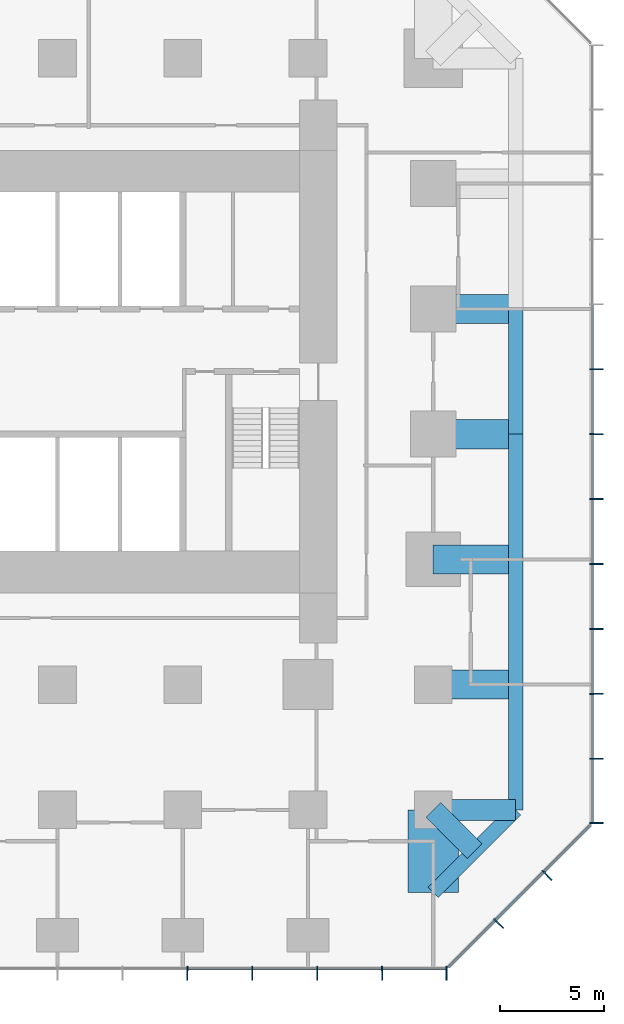
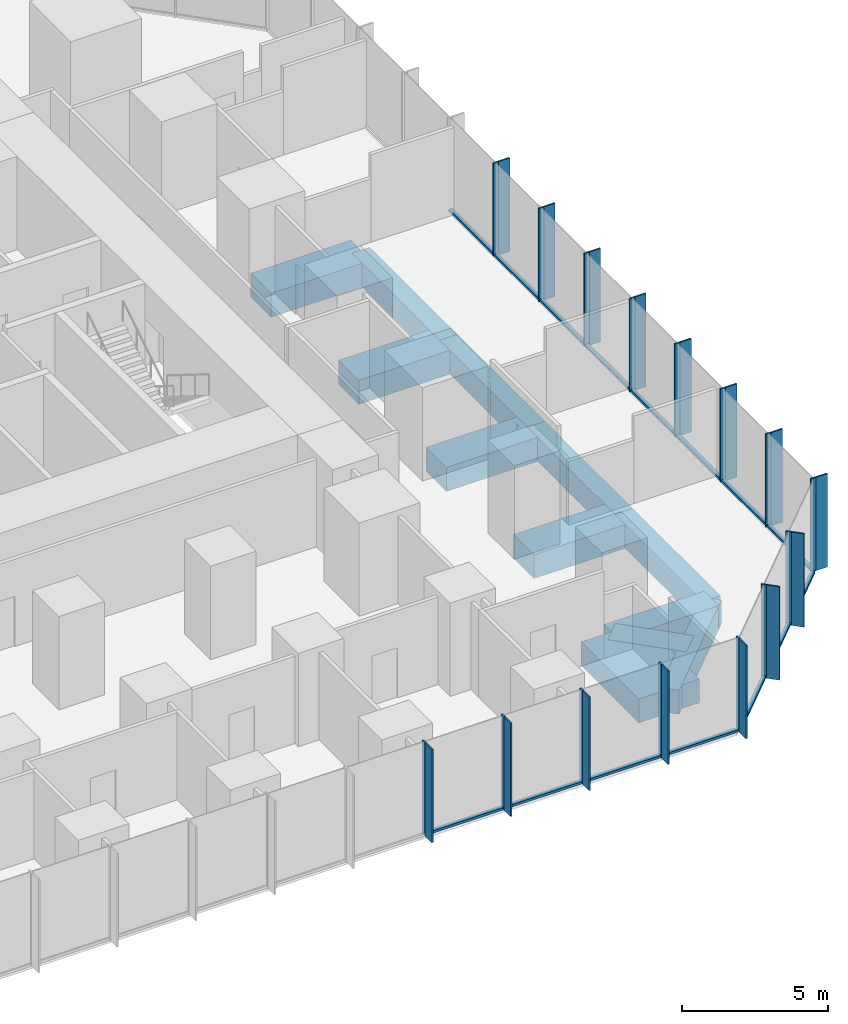
# One storey, part 4 of 12: 45 members, 12 beams, 3 elements without a shape of their own.
"""IFC4 building model written with IfcOpenShell, lengths in metres."""

from ifc_helpers import new_model, si_unit, direction, frame, origin, origin_2d, place, context, subcontext, project, spatial, rectangle, extrude, material, layer, layer_set, material_profile, profile_set, type_object, element, aggregate, save


model = new_model("IFC4")

# Units and contexts
model_context = context("Model", 3, precision=1e-05, world=origin(), true_north=direction((0.0, 1.0)))
body_context = subcontext(model_context, "Body", "Model", "MODEL_VIEW")
ifc_project = project(units=[si_unit("LENGTHUNIT", "METRE"), si_unit("AREAUNIT", "SQUARE_METRE"), si_unit("VOLUMEUNIT", "CUBIC_METRE"), si_unit("PLANEANGLEUNIT", "RADIAN"), si_unit("MASSUNIT", "GRAM", prefix="KILO")], contexts=[model_context])

# Site, building, storey
site_placement = place(None, origin())
site = spatial("IfcSite", under=ifc_project, at=site_placement, CompositionType="ELEMENT")
building_placement = place(site_placement, origin())
building = spatial("IfcBuilding", under=site, at=building_placement, Name="Highveld Stack Headquarters", CompositionType="ELEMENT")
storey_placement = place(building_placement, frame((0.0, 0.0, 49.39990234375)))
storey = spatial("IfcBuildingStorey", under=building, at=storey_placement, Name="L11", CompositionType="ELEMENT", Elevation=49.39990234375)

# Beams
ifc_material_1 = material(Name="Concrete C60/75", Category="concrete")
ifc_material_profile_1 = material_profile(ifc_material_1, rectangle(XDim=1.0, YDim=1.0, at=origin_2d()), Name="RC 1000x1000")
ifc_profile_set_1 = profile_set([ifc_material_profile_1], Name="Concrete C60/75")
beam_type_1 = type_object("IfcBeamType", Name="CANTILEVER RIB RC 1000x1000", PredefinedType="USERDEFINED", material=ifc_profile_set_1)
beam_1_placement = place(storey_placement, frame((24.0, -18.0, -0.75), z_axis=(1.0, 0.0, 0.0), x_axis=(0.0, 1.0, 0.0)))
element("IfcBeam", 1, at=beam_1_placement, inside=storey, type_object=beam_type_1, Name="Cantilever rib 10/B L11", ObjectType="CANTILEVER RIB", PredefinedType="USERDEFINED", context=body_context, shape_type="SweptSolid", body=[
    extrude(rectangle(XDim=1.0, YDim=1.0, at=origin_2d()), origin(), (0.0, 0.0, 1.0), 3.949951171875),
])
beam_2_placement = place(storey_placement, frame((24.0, -18.0, -0.75), z_axis=(0.707106781187, -0.707106781187, 0.0), x_axis=(0.707106781187, 0.707106781187, 0.0)))
element("IfcBeam", 2, at=beam_2_placement, inside=storey, type_object=beam_type_1, Name="Cantilever rib 10/B L11", ObjectType="CANTILEVER RIB", PredefinedType="USERDEFINED", context=body_context, shape_type="SweptSolid", body=[
    extrude(rectangle(XDim=1.0, YDim=1.0, at=origin_2d()), origin(), (0.0, 0.0, 1.0), 2.793212890625),
])
ifc_material_2 = material(Name="Concrete C60/75", Category="concrete")
ifc_material_profile_2 = material_profile(ifc_material_2, rectangle(XDim=1.39990234375, YDim=1.0, at=origin_2d()), Name="RC 1400x1000")
ifc_profile_set_2 = profile_set([ifc_material_profile_2], Name="Concrete C60/75")
beam_type_2 = type_object("IfcBeamType", Name="CANTILEVER RIB RC 1400x1000", PredefinedType="USERDEFINED", material=ifc_profile_set_2)
for number, where, z_axis, x_axis, name in (
    (3, (24.0, -12.0, -0.75), (1.0, 0.0, 0.0), (0.0, 1.0, 0.0), "Cantilever rib 10/C L11"),
    (4, (24.0, -6.0, -0.75), (1.0, 0.0, 0.0), (0.0, 1.0, 0.0), "Cantilever rib 10/D L11"),
    (5, (24.0, 0.0, -0.75), (1.0, 0.0, 0.0), (0.0, 1.0, 0.0), "Cantilever rib 10/E L11"),
    (6, (24.0, 6.0, -0.75), (1.0, 0.0, 0.0), (0.0, 1.0, 0.0), "Cantilever rib 10/F L11"),
):
    element("IfcBeam", number, at=place(storey_placement, frame(where, z_axis=z_axis, x_axis=x_axis)), inside=storey, type_object=beam_type_2, Name=name, ObjectType="CANTILEVER RIB", PredefinedType="USERDEFINED", context=body_context, shape_type="SweptSolid", body=[
        extrude(rectangle(XDim=1.39990234375, YDim=1.0, at=origin_2d()), origin(), (0.0, 0.0, 1.0), 3.949951171875),
    ])
ifc_material_3 = material(Name="Concrete C60/75", Category="concrete")
ifc_material_profile_3 = material_profile(ifc_material_3, rectangle(XDim=2.39990234375, YDim=1.0, at=origin_2d()), Name="RC 2400x1000")
ifc_profile_set_3 = profile_set([ifc_material_profile_3], Name="Concrete C60/75")
beam_type_3 = type_object("IfcBeamType", Name="CANTILEVER RIB RC 2400x1000", PredefinedType="USERDEFINED", material=ifc_profile_set_3)
beam_3_placement = place(storey_placement, frame((24.0, -18.0, -0.75), z_axis=(0.0, -1.0, 0.0), x_axis=(1.0, 0.0, 0.0)))
element("IfcBeam", 7, at=beam_3_placement, inside=storey, type_object=beam_type_3, Name="Cantilever rib 10/B L11", ObjectType="CANTILEVER RIB", PredefinedType="USERDEFINED", context=body_context, shape_type="SweptSolid", body=[
    extrude(rectangle(XDim=2.39990234375, YDim=1.0, at=origin_2d()), origin(), (0.0, 0.0, 1.0), 3.949951171875),
])

# Curtain wall, members
ifc_material_4 = material(Name="Aluminium bronze anodised", Category="aluminium")
ifc_layer_1 = layer(ifc_material_4, 0.199951171875)
ifc_layer_set_1 = layer_set([ifc_layer_1], Name="Aluminium bronze anodised")
curtain_wall_type_1 = type_object("IfcCurtainWallType", Name="CW1 TOWER UNITISED CURTAIN WALL", PredefinedType="NOTDEFINED", material=ifc_layer_set_1)
curtain_wall_1_placement = place(storey_placement, origin())
curtain_wall_1 = element("IfcCurtainWall", 8, at=curtain_wall_1_placement, inside=storey, type_object=curtain_wall_type_1, Name="Curtain wall CW1 L11 S", PredefinedType="NOTDEFINED")
ifc_material_5 = material(Name="Aluminium bronze anodised", Category="aluminium")
ifc_material_profile_4 = material_profile(ifc_material_5, rectangle(XDim=0.449951171875, YDim=0.06005859375, at=origin_2d()), Name="FIN 450x60")
ifc_profile_set_4 = profile_set([ifc_material_profile_4], Name="Aluminium bronze anodised")
member_type_1 = type_object("IfcMemberType", Name="CW1 BRONZE FIN 450x60", PredefinedType="USERDEFINED", material=ifc_profile_set_4)
member_1_placement = place(storey_placement, frame((12.220947265625, -25.925048828125, 0.0), z_axis=(0.0, 0.0, 1.0), x_axis=(0.0, 1.0, 0.0)))
member_1 = element("IfcMember", 9, at=member_1_placement, type_object=member_type_1, Name="CW1 fin L11 9", ObjectType="FIN", PredefinedType="USERDEFINED", context=body_context, shape_type="SweptSolid", body=[
    extrude(rectangle(XDim=0.449951171875, YDim=0.06005859375, at=origin_2d()), origin(), (0.0, 0.0, 1.0), 3.900146484375),
])
member_2_placement = place(storey_placement, frame((15.331298828125, -25.925048828125, 0.0), z_axis=(0.0, 0.0, 1.0), x_axis=(0.0, 1.0, 0.0)))
member_2 = element("IfcMember", 10, at=member_2_placement, type_object=member_type_1, Name="CW1 fin L11 10", ObjectType="FIN", PredefinedType="USERDEFINED", context=body_context, shape_type="SweptSolid", body=[
    extrude(rectangle(XDim=0.449951171875, YDim=0.06005859375, at=origin_2d()), origin(), (0.0, 0.0, 1.0), 3.900146484375),
])
member_3_placement = place(storey_placement, frame((18.44189453125, -25.925048828125, 0.0), z_axis=(0.0, 0.0, 1.0), x_axis=(0.0, 1.0, 0.0)))
member_3 = element("IfcMember", 11, at=member_3_placement, type_object=member_type_1, Name="CW1 fin L11 11", ObjectType="FIN", PredefinedType="USERDEFINED", context=body_context, shape_type="SweptSolid", body=[
    extrude(rectangle(XDim=0.449951171875, YDim=0.06005859375, at=origin_2d()), origin(), (0.0, 0.0, 1.0), 3.900146484375),
])
member_4_placement = place(storey_placement, frame((21.55224609375, -25.925048828125, 0.0), z_axis=(0.0, 0.0, 1.0), x_axis=(0.0, 1.0, 0.0)))
member_4 = element("IfcMember", 12, at=member_4_placement, type_object=member_type_1, Name="CW1 fin L11 12", ObjectType="FIN", PredefinedType="USERDEFINED", context=body_context, shape_type="SweptSolid", body=[
    extrude(rectangle(XDim=0.449951171875, YDim=0.06005859375, at=origin_2d()), origin(), (0.0, 0.0, 1.0), 3.900146484375),
])
member_5_placement = place(storey_placement, frame((24.630126953125, -25.925048828125, 0.0), z_axis=(0.0, 0.0, 1.0), x_axis=(0.0, 1.0, 0.0)))
member_5 = element("IfcMember", 13, at=member_5_placement, type_object=member_type_1, Name="CW1 fin L11 13", ObjectType="FIN", PredefinedType="USERDEFINED", context=body_context, shape_type="SweptSolid", body=[
    extrude(rectangle(XDim=0.449951171875, YDim=0.06005859375, at=origin_2d()), origin(), (0.0, 0.0, 1.0), 3.900146484375),
])

curtain_wall_2_placement = place(storey_placement, origin())
curtain_wall_2 = element("IfcCurtainWall", 14, at=curtain_wall_2_placement, inside=storey, type_object=curtain_wall_type_1, Name="Curtain wall CW1 L11 E", PredefinedType="NOTDEFINED")
member_6_placement = place(storey_placement, frame((31.925048828125, -18.630126953125, 0.0), z_axis=(0.0, 0.0, 1.0), x_axis=(-1.0, 0.0, 0.0)))
member_6 = element("IfcMember", 15, at=member_6_placement, type_object=member_type_1, Name="CW1 fin L11 1", ObjectType="FIN", PredefinedType="USERDEFINED", context=body_context, shape_type="SweptSolid", body=[
    extrude(rectangle(XDim=0.449951171875, YDim=0.06005859375, at=origin_2d()), origin(), (0.0, 0.0, 1.0), 3.900146484375),
])
member_7_placement = place(storey_placement, frame((31.925048828125, -15.55224609375, 0.0), z_axis=(0.0, 0.0, 1.0), x_axis=(-1.0, 0.0, 0.0)))
member_7 = element("IfcMember", 16, at=member_7_placement, type_object=member_type_1, Name="CW1 fin L11 2", ObjectType="FIN", PredefinedType="USERDEFINED", context=body_context, shape_type="SweptSolid", body=[
    extrude(rectangle(XDim=0.449951171875, YDim=0.06005859375, at=origin_2d()), origin(), (0.0, 0.0, 1.0), 3.900146484375),
])
member_8_placement = place(storey_placement, frame((31.925048828125, -12.44189453125, 0.0), z_axis=(0.0, 0.0, 1.0), x_axis=(-1.0, 0.0, 0.0)))
member_8 = element("IfcMember", 17, at=member_8_placement, type_object=member_type_1, Name="CW1 fin L11 3", ObjectType="FIN", PredefinedType="USERDEFINED", context=body_context, shape_type="SweptSolid", body=[
    extrude(rectangle(XDim=0.449951171875, YDim=0.06005859375, at=origin_2d()), origin(), (0.0, 0.0, 1.0), 3.900146484375),
])
member_9_placement = place(storey_placement, frame((31.925048828125, -9.331298828125, 0.0), z_axis=(0.0, 0.0, 1.0), x_axis=(-1.0, 0.0, 0.0)))
member_9 = element("IfcMember", 18, at=member_9_placement, type_object=member_type_1, Name="CW1 fin L11 4", ObjectType="FIN", PredefinedType="USERDEFINED", context=body_context, shape_type="SweptSolid", body=[
    extrude(rectangle(XDim=0.449951171875, YDim=0.06005859375, at=origin_2d()), origin(), (0.0, 0.0, 1.0), 3.900146484375),
])
member_10_placement = place(storey_placement, frame((31.925048828125, -6.220947265625, 0.0), z_axis=(0.0, 0.0, 1.0), x_axis=(-1.0, 0.0, 0.0)))
member_10 = element("IfcMember", 19, at=member_10_placement, type_object=member_type_1, Name="CW1 fin L11 5", ObjectType="FIN", PredefinedType="USERDEFINED", context=body_context, shape_type="SweptSolid", body=[
    extrude(rectangle(XDim=0.449951171875, YDim=0.06005859375, at=origin_2d()), origin(), (0.0, 0.0, 1.0), 3.900146484375),
])
member_11_placement = place(storey_placement, frame((31.925048828125, -3.110595703125, 0.0), z_axis=(0.0, 0.0, 1.0), x_axis=(-1.0, 0.0, 0.0)))
member_11 = element("IfcMember", 20, at=member_11_placement, type_object=member_type_1, Name="CW1 fin L11 6", ObjectType="FIN", PredefinedType="USERDEFINED", context=body_context, shape_type="SweptSolid", body=[
    extrude(rectangle(XDim=0.449951171875, YDim=0.06005859375, at=origin_2d()), origin(), (0.0, 0.0, 1.0), 3.900146484375),
])
member_12_placement = place(storey_placement, frame((31.925048828125, 0.0, 0.0), z_axis=(0.0, 0.0, 1.0), x_axis=(-1.0, 0.0, 0.0)))
member_12 = element("IfcMember", 21, at=member_12_placement, type_object=member_type_1, Name="CW1 fin L11 7", ObjectType="FIN", PredefinedType="USERDEFINED", context=body_context, shape_type="SweptSolid", body=[
    extrude(rectangle(XDim=0.449951171875, YDim=0.06005859375, at=origin_2d()), origin(), (0.0, 0.0, 1.0), 3.900146484375),
])
member_13_placement = place(storey_placement, frame((31.925048828125, 3.110595703125, 0.0), z_axis=(0.0, 0.0, 1.0), x_axis=(-1.0, 0.0, 0.0)))
member_13 = element("IfcMember", 22, at=member_13_placement, type_object=member_type_1, Name="CW1 fin L11 8", ObjectType="FIN", PredefinedType="USERDEFINED", context=body_context, shape_type="SweptSolid", body=[
    extrude(rectangle(XDim=0.449951171875, YDim=0.06005859375, at=origin_2d()), origin(), (0.0, 0.0, 1.0), 3.900146484375),
])

# Member
ifc_material_6 = material(Name="Aluminium bronze anodised", Category="aluminium")
ifc_material_profile_5 = material_profile(ifc_material_6, rectangle(XDim=0.199951171875, YDim=0.06494140625, at=origin_2d()), Name="CW1 MULLION 65x200")
ifc_profile_set_5 = profile_set([ifc_material_profile_5], Name="Aluminium bronze anodised")
member_type_2 = type_object("IfcMemberType", Name="CW1 MULLION 65x200", PredefinedType="MULLION", material=ifc_profile_set_5)
member_14_placement = place(storey_placement, frame((12.220947265625, -25.60009765625, 0.0), z_axis=(0.0, 0.0, 1.0), x_axis=(0.0, 1.0, 0.0)))
member_14 = element("IfcMember", 23, at=member_14_placement, type_object=member_type_2, Name="CW1 mullion L11 9", PredefinedType="MULLION", context=body_context, shape_type="SweptSolid", body=[
    extrude(rectangle(XDim=0.199951171875, YDim=0.06494140625, at=origin_2d()), origin(), (0.0, 0.0, 1.0), 3.900146484375),
])

member_15_placement = place(storey_placement, frame((15.331298828125, -25.60009765625, 0.0), z_axis=(0.0, 0.0, 1.0), x_axis=(0.0, 1.0, 0.0)))
member_15 = element("IfcMember", 24, at=member_15_placement, type_object=member_type_2, Name="CW1 mullion L11 10", PredefinedType="MULLION", context=body_context, shape_type="SweptSolid", body=[
    extrude(rectangle(XDim=0.199951171875, YDim=0.06494140625, at=origin_2d()), origin(), (0.0, 0.0, 1.0), 3.900146484375),
])

member_16_placement = place(storey_placement, frame((18.44189453125, -25.60009765625, 0.0), z_axis=(0.0, 0.0, 1.0), x_axis=(0.0, 1.0, 0.0)))
member_16 = element("IfcMember", 25, at=member_16_placement, type_object=member_type_2, Name="CW1 mullion L11 11", PredefinedType="MULLION", context=body_context, shape_type="SweptSolid", body=[
    extrude(rectangle(XDim=0.199951171875, YDim=0.06494140625, at=origin_2d()), origin(), (0.0, 0.0, 1.0), 3.900146484375),
])

member_17_placement = place(storey_placement, frame((21.55224609375, -25.60009765625, 0.0), z_axis=(0.0, 0.0, 1.0), x_axis=(0.0, 1.0, 0.0)))
member_17 = element("IfcMember", 26, at=member_17_placement, type_object=member_type_2, Name="CW1 mullion L11 12", PredefinedType="MULLION", context=body_context, shape_type="SweptSolid", body=[
    extrude(rectangle(XDim=0.199951171875, YDim=0.06494140625, at=origin_2d()), origin(), (0.0, 0.0, 1.0), 3.900146484375),
])

member_18_placement = place(storey_placement, frame((24.630126953125, -25.60009765625, 0.0), z_axis=(0.0, 0.0, 1.0), x_axis=(0.0, 1.0, 0.0)))
member_18 = element("IfcMember", 27, at=member_18_placement, type_object=member_type_2, Name="CW1 mullion L11 13", PredefinedType="MULLION", context=body_context, shape_type="SweptSolid", body=[
    extrude(rectangle(XDim=0.199951171875, YDim=0.06494140625, at=origin_2d()), origin(), (0.0, 0.0, 1.0), 3.900146484375),
])

member_19_placement = place(storey_placement, frame((31.60009765625, -18.630126953125, 0.0), z_axis=(0.0, 0.0, 1.0), x_axis=(-1.0, 0.0, 0.0)))
member_19 = element("IfcMember", 28, at=member_19_placement, type_object=member_type_2, Name="CW1 mullion L11 1", PredefinedType="MULLION", context=body_context, shape_type="SweptSolid", body=[
    extrude(rectangle(XDim=0.199951171875, YDim=0.06494140625, at=origin_2d()), origin(), (0.0, 0.0, 1.0), 3.900146484375),
])

member_20_placement = place(storey_placement, frame((31.60009765625, -15.55224609375, 0.0), z_axis=(0.0, 0.0, 1.0), x_axis=(-1.0, 0.0, 0.0)))
member_20 = element("IfcMember", 29, at=member_20_placement, type_object=member_type_2, Name="CW1 mullion L11 2", PredefinedType="MULLION", context=body_context, shape_type="SweptSolid", body=[
    extrude(rectangle(XDim=0.199951171875, YDim=0.06494140625, at=origin_2d()), origin(), (0.0, 0.0, 1.0), 3.900146484375),
])

member_21_placement = place(storey_placement, frame((31.60009765625, -12.44189453125, 0.0), z_axis=(0.0, 0.0, 1.0), x_axis=(-1.0, 0.0, 0.0)))
member_21 = element("IfcMember", 30, at=member_21_placement, type_object=member_type_2, Name="CW1 mullion L11 3", PredefinedType="MULLION", context=body_context, shape_type="SweptSolid", body=[
    extrude(rectangle(XDim=0.199951171875, YDim=0.06494140625, at=origin_2d()), origin(), (0.0, 0.0, 1.0), 3.900146484375),
])

member_22_placement = place(storey_placement, frame((31.60009765625, -9.331298828125, 0.0), z_axis=(0.0, 0.0, 1.0), x_axis=(-1.0, 0.0, 0.0)))
member_22 = element("IfcMember", 31, at=member_22_placement, type_object=member_type_2, Name="CW1 mullion L11 4", PredefinedType="MULLION", context=body_context, shape_type="SweptSolid", body=[
    extrude(rectangle(XDim=0.199951171875, YDim=0.06494140625, at=origin_2d()), origin(), (0.0, 0.0, 1.0), 3.900146484375),
])

member_23_placement = place(storey_placement, frame((31.60009765625, -6.220947265625, 0.0), z_axis=(0.0, 0.0, 1.0), x_axis=(-1.0, 0.0, 0.0)))
member_23 = element("IfcMember", 32, at=member_23_placement, type_object=member_type_2, Name="CW1 mullion L11 5", PredefinedType="MULLION", context=body_context, shape_type="SweptSolid", body=[
    extrude(rectangle(XDim=0.199951171875, YDim=0.06494140625, at=origin_2d()), origin(), (0.0, 0.0, 1.0), 3.900146484375),
])

member_24_placement = place(storey_placement, frame((31.60009765625, -3.110595703125, 0.0), z_axis=(0.0, 0.0, 1.0), x_axis=(-1.0, 0.0, 0.0)))
member_24 = element("IfcMember", 33, at=member_24_placement, type_object=member_type_2, Name="CW1 mullion L11 6", PredefinedType="MULLION", context=body_context, shape_type="SweptSolid", body=[
    extrude(rectangle(XDim=0.199951171875, YDim=0.06494140625, at=origin_2d()), origin(), (0.0, 0.0, 1.0), 3.900146484375),
])

member_25_placement = place(storey_placement, frame((31.60009765625, 0.0, 0.0), z_axis=(0.0, 0.0, 1.0), x_axis=(-1.0, 0.0, 0.0)))
member_25 = element("IfcMember", 34, at=member_25_placement, type_object=member_type_2, Name="CW1 mullion L11 7", PredefinedType="MULLION", context=body_context, shape_type="SweptSolid", body=[
    extrude(rectangle(XDim=0.199951171875, YDim=0.06494140625, at=origin_2d()), origin(), (0.0, 0.0, 1.0), 3.900146484375),
])

member_26_placement = place(storey_placement, frame((31.60009765625, 3.110595703125, 0.0), z_axis=(0.0, 0.0, 1.0), x_axis=(-1.0, 0.0, 0.0)))
member_26 = element("IfcMember", 35, at=member_26_placement, type_object=member_type_2, Name="CW1 mullion L11 8", PredefinedType="MULLION", context=body_context, shape_type="SweptSolid", body=[
    extrude(rectangle(XDim=0.199951171875, YDim=0.06494140625, at=origin_2d()), origin(), (0.0, 0.0, 1.0), 3.900146484375),
])

ifc_material_7 = material(Name="Aluminium bronze anodised", Category="aluminium")
ifc_material_profile_6 = material_profile(ifc_material_7, rectangle(XDim=0.14990234375, YDim=0.10009765625, at=origin_2d()), Name="CW1 TRANSOM 150x100")
ifc_profile_set_6 = profile_set([ifc_material_profile_6], Name="Aluminium bronze anodised")
member_type_3 = type_object("IfcMemberType", Name="CW1 STACK TRANSOM 150x100", PredefinedType="USERDEFINED", material=ifc_profile_set_6)
member_27_placement = place(storey_placement, frame((12.25341796875, -25.60009765625, 0.050048828125), z_axis=(1.0, 0.0, 0.0), x_axis=(0.0, 1.0, 0.0)))
member_27 = element("IfcMember", 36, at=member_27_placement, type_object=member_type_3, Name="CW1 transom L11 9.1", ObjectType="TRANSOM", PredefinedType="USERDEFINED", context=body_context, shape_type="SweptSolid", body=[
    extrude(rectangle(XDim=0.14990234375, YDim=0.10009765625, at=origin_2d()), origin(), (0.0, 0.0, 1.0), 3.04541015625),
])

member_28_placement = place(storey_placement, frame((15.364013671875, -25.60009765625, 0.050048828125), z_axis=(1.0, 0.0, 0.0), x_axis=(0.0, 1.0, 0.0)))
member_28 = element("IfcMember", 37, at=member_28_placement, type_object=member_type_3, Name="CW1 transom L11 10.1", ObjectType="TRANSOM", PredefinedType="USERDEFINED", context=body_context, shape_type="SweptSolid", body=[
    extrude(rectangle(XDim=0.14990234375, YDim=0.10009765625, at=origin_2d()), origin(), (0.0, 0.0, 1.0), 3.045166015625),
])

member_29_placement = place(storey_placement, frame((18.474365234375, -25.60009765625, 0.050048828125), z_axis=(1.0, 0.0, 0.0), x_axis=(0.0, 1.0, 0.0)))
member_29 = element("IfcMember", 38, at=member_29_placement, type_object=member_type_3, Name="CW1 transom L11 11.1", ObjectType="TRANSOM", PredefinedType="USERDEFINED", context=body_context, shape_type="SweptSolid", body=[
    extrude(rectangle(XDim=0.14990234375, YDim=0.10009765625, at=origin_2d()), origin(), (0.0, 0.0, 1.0), 3.04541015625),
])

member_30_placement = place(storey_placement, frame((21.584716796875, -25.60009765625, 0.050048828125), z_axis=(1.0, 0.0, 0.0), x_axis=(0.0, 1.0, 0.0)))
member_30 = element("IfcMember", 39, at=member_30_placement, type_object=member_type_3, Name="CW1 transom L11 12.1", ObjectType="TRANSOM", PredefinedType="USERDEFINED", context=body_context, shape_type="SweptSolid", body=[
    extrude(rectangle(XDim=0.14990234375, YDim=0.10009765625, at=origin_2d()), origin(), (0.0, 0.0, 1.0), 3.012939453125),
])

aggregate(curtain_wall_1, [member_14, member_1, member_15, member_2, member_16, member_3, member_17, member_4, member_18, member_5, member_27, member_28, member_29, member_30])

member_31_placement = place(storey_placement, frame((31.60009765625, -18.59765625, 0.050048828125), z_axis=(0.0, 1.0, 0.0), x_axis=(-1.0, 0.0, 0.0)))
member_31 = element("IfcMember", 40, at=member_31_placement, type_object=member_type_3, Name="CW1 transom L11 1.1", ObjectType="TRANSOM", PredefinedType="USERDEFINED", context=body_context, shape_type="SweptSolid", body=[
    extrude(rectangle(XDim=0.14990234375, YDim=0.10009765625, at=origin_2d()), origin(), (0.0, 0.0, 1.0), 3.012939453125),
])

member_32_placement = place(storey_placement, frame((31.60009765625, -15.519775390625, 0.050048828125), z_axis=(0.0, 1.0, 0.0), x_axis=(-1.0, 0.0, 0.0)))
member_32 = element("IfcMember", 41, at=member_32_placement, type_object=member_type_3, Name="CW1 transom L11 2.1", ObjectType="TRANSOM", PredefinedType="USERDEFINED", context=body_context, shape_type="SweptSolid", body=[
    extrude(rectangle(XDim=0.14990234375, YDim=0.10009765625, at=origin_2d()), origin(), (0.0, 0.0, 1.0), 3.04541015625),
])

member_33_placement = place(storey_placement, frame((31.60009765625, -12.4091796875, 0.050048828125), z_axis=(0.0, 1.0, 0.0), x_axis=(-1.0, 0.0, 0.0)))
member_33 = element("IfcMember", 42, at=member_33_placement, type_object=member_type_3, Name="CW1 transom L11 3.1", ObjectType="TRANSOM", PredefinedType="USERDEFINED", context=body_context, shape_type="SweptSolid", body=[
    extrude(rectangle(XDim=0.14990234375, YDim=0.10009765625, at=origin_2d()), origin(), (0.0, 0.0, 1.0), 3.045166015625),
])

member_34_placement = place(storey_placement, frame((31.60009765625, -9.298828125, 0.050048828125), z_axis=(0.0, 1.0, 0.0), x_axis=(-1.0, 0.0, 0.0)))
member_34 = element("IfcMember", 43, at=member_34_placement, type_object=member_type_3, Name="CW1 transom L11 4.1", ObjectType="TRANSOM", PredefinedType="USERDEFINED", context=body_context, shape_type="SweptSolid", body=[
    extrude(rectangle(XDim=0.14990234375, YDim=0.10009765625, at=origin_2d()), origin(), (0.0, 0.0, 1.0), 3.04541015625),
])

member_35_placement = place(storey_placement, frame((31.60009765625, -6.1884765625, 0.050048828125), z_axis=(0.0, 1.0, 0.0), x_axis=(-1.0, 0.0, 0.0)))
member_35 = element("IfcMember", 44, at=member_35_placement, type_object=member_type_3, Name="CW1 transom L11 5.1", ObjectType="TRANSOM", PredefinedType="USERDEFINED", context=body_context, shape_type="SweptSolid", body=[
    extrude(rectangle(XDim=0.14990234375, YDim=0.10009765625, at=origin_2d()), origin(), (0.0, 0.0, 1.0), 3.04541015625),
])

member_36_placement = place(storey_placement, frame((31.60009765625, -3.077880859375, 0.050048828125), z_axis=(0.0, 1.0, 0.0), x_axis=(-1.0, 0.0, 0.0)))
member_36 = element("IfcMember", 45, at=member_36_placement, type_object=member_type_3, Name="CW1 transom L11 6.1", ObjectType="TRANSOM", PredefinedType="USERDEFINED", context=body_context, shape_type="SweptSolid", body=[
    extrude(rectangle(XDim=0.14990234375, YDim=0.10009765625, at=origin_2d()), origin(), (0.0, 0.0, 1.0), 3.04541015625),
])

member_37_placement = place(storey_placement, frame((31.60009765625, 0.032470703125, 0.050048828125), z_axis=(0.0, 1.0, 0.0), x_axis=(-1.0, 0.0, 0.0)))
member_37 = element("IfcMember", 46, at=member_37_placement, type_object=member_type_3, Name="CW1 transom L11 7.1", ObjectType="TRANSOM", PredefinedType="USERDEFINED", context=body_context, shape_type="SweptSolid", body=[
    extrude(rectangle(XDim=0.14990234375, YDim=0.10009765625, at=origin_2d()), origin(), (0.0, 0.0, 1.0), 3.04541015625),
])

member_38_placement = place(storey_placement, frame((31.60009765625, 3.142822265625, 0.050048828125), z_axis=(0.0, 1.0, 0.0), x_axis=(-1.0, 0.0, 0.0)))
member_38 = element("IfcMember", 47, at=member_38_placement, type_object=member_type_3, Name="CW1 transom L11 8.1", ObjectType="TRANSOM", PredefinedType="USERDEFINED", context=body_context, shape_type="SweptSolid", body=[
    extrude(rectangle(XDim=0.14990234375, YDim=0.10009765625, at=origin_2d()), origin(), (0.0, 0.0, 1.0), 3.045654296875),
])

aggregate(curtain_wall_2, [member_19, member_6, member_20, member_7, member_21, member_8, member_22, member_9, member_23, member_10, member_24, member_11, member_25, member_12, member_26, member_13, member_31, member_32, member_33, member_34, member_35, member_36, member_37, member_38])

# Curtain wall, members
ifc_material_8 = material(Name="Aluminium bronze anodised", Category="aluminium")
ifc_layer_2 = layer(ifc_material_8, 0.199951171875)
ifc_layer_set_2 = layer_set([ifc_layer_2], Name="Aluminium bronze anodised")
curtain_wall_type_2 = type_object("IfcCurtainWallType", Name="CW2 TOWER CHAMFER UNITISED CURTAIN WALL", PredefinedType="NOTDEFINED", material=ifc_layer_set_2)
curtain_wall_3_placement = place(storey_placement, origin())
curtain_wall_3 = element("IfcCurtainWall", 48, at=curtain_wall_3_placement, inside=storey, type_object=curtain_wall_type_2, Name="Curtain wall CW2 L11 SE", PredefinedType="NOTDEFINED")
ifc_material_9 = material(Name="Aluminium bronze anodised", Category="aluminium")
ifc_material_profile_7 = material_profile(ifc_material_9, rectangle(XDim=0.449951171875, YDim=0.06005859375, at=origin_2d()), Name="FIN 450x60")
ifc_profile_set_7 = profile_set([ifc_material_profile_7], Name="Aluminium bronze anodised")
member_type_4 = type_object("IfcMemberType", Name="CW2 BRONZE FIN 450x60", PredefinedType="USERDEFINED", material=ifc_profile_set_7)
member_39_placement = place(storey_placement, frame((27.204833984375, -23.517333984375, 0.0), z_axis=(0.0, 0.0, 1.0), x_axis=(-0.707106781187, 0.707106781187, 0.0)))
member_39 = element("IfcMember", 49, at=member_39_placement, type_object=member_type_4, Name="CW2 fin L11 1", ObjectType="FIN", PredefinedType="USERDEFINED", context=body_context, shape_type="SweptSolid", body=[
    extrude(rectangle(XDim=0.449951171875, YDim=0.06005859375, at=origin_2d()), origin(), (0.0, 0.0, 1.0), 3.900146484375),
])
member_40_placement = place(storey_placement, frame((29.517333984375, -21.204833984375, 0.0), z_axis=(0.0, 0.0, 1.0), x_axis=(-0.707106781187, 0.707106781187, 0.0)))
member_40 = element("IfcMember", 50, at=member_40_placement, type_object=member_type_4, Name="CW2 fin L11 2", ObjectType="FIN", PredefinedType="USERDEFINED", context=body_context, shape_type="SweptSolid", body=[
    extrude(rectangle(XDim=0.449951171875, YDim=0.06005859375, at=origin_2d()), origin(), (0.0, 0.0, 1.0), 3.900146484375),
])
ifc_material_10 = material(Name="Aluminium bronze anodised", Category="aluminium")
ifc_material_profile_8 = material_profile(ifc_material_10, rectangle(XDim=0.199951171875, YDim=0.06494140625, at=origin_2d()), Name="CW2 MULLION 65x200")
ifc_profile_set_8 = profile_set([ifc_material_profile_8], Name="Aluminium bronze anodised")
member_type_5 = type_object("IfcMemberType", Name="CW2 MULLION 65x200", PredefinedType="MULLION", material=ifc_profile_set_8)
member_41_placement = place(storey_placement, frame((26.97509765625, -23.28759765625, 0.0), z_axis=(0.0, 0.0, 1.0), x_axis=(-0.707106781187, 0.707106781187, 0.0)))
member_41 = element("IfcMember", 51, at=member_41_placement, type_object=member_type_5, Name="CW2 mullion L11 1", PredefinedType="MULLION", context=body_context, shape_type="SweptSolid", body=[
    extrude(rectangle(XDim=0.199951171875, YDim=0.06494140625, at=origin_2d()), origin(), (0.0, 0.0, 1.0), 3.900146484375),
])
member_42_placement = place(storey_placement, frame((29.28759765625, -20.97509765625, 0.0), z_axis=(0.0, 0.0, 1.0), x_axis=(-0.707106781187, 0.707106781187, 0.0)))
member_42 = element("IfcMember", 52, at=member_42_placement, type_object=member_type_5, Name="CW2 mullion L11 2", PredefinedType="MULLION", context=body_context, shape_type="SweptSolid", body=[
    extrude(rectangle(XDim=0.199951171875, YDim=0.06494140625, at=origin_2d()), origin(), (0.0, 0.0, 1.0), 3.900146484375),
])
ifc_material_11 = material(Name="Aluminium bronze anodised", Category="aluminium")
ifc_material_profile_9 = material_profile(ifc_material_11, rectangle(XDim=0.14990234375, YDim=0.10009765625, at=origin_2d()), Name="CW2 TRANSOM 150x100")
ifc_profile_set_9 = profile_set([ifc_material_profile_9], Name="Aluminium bronze anodised")
member_type_6 = type_object("IfcMemberType", Name="CW2 STACK TRANSOM 150x100", PredefinedType="USERDEFINED", material=ifc_profile_set_9)
member_43_placement = place(storey_placement, frame((24.7333984375, -25.529296875, 0.050048828125), z_axis=(0.707106781187, 0.707106781187, 0.0), x_axis=(-0.707106781187, 0.707106781187, 0.0)))
member_43 = element("IfcMember", 53, at=member_43_placement, type_object=member_type_6, Name="CW2 transom L11 1.1", ObjectType="TRANSOM", PredefinedType="USERDEFINED", context=body_context, shape_type="SweptSolid", body=[
    extrude(rectangle(XDim=0.14990234375, YDim=0.10009765625, at=origin_2d()), origin(), (0.0, 0.0, 1.0), 3.1376953125),
])
member_44_placement = place(storey_placement, frame((26.998046875, -23.2646484375, 0.050048828125), z_axis=(0.707106781187, 0.707106781187, 0.0), x_axis=(-0.707106781187, 0.707106781187, 0.0)))
member_44 = element("IfcMember", 54, at=member_44_placement, type_object=member_type_6, Name="CW2 transom L11 2.1", ObjectType="TRANSOM", PredefinedType="USERDEFINED", context=body_context, shape_type="SweptSolid", body=[
    extrude(rectangle(XDim=0.14990234375, YDim=0.10009765625, at=origin_2d()), origin(), (0.0, 0.0, 1.0), 3.20556640625),
])
member_45_placement = place(storey_placement, frame((29.310546875, -20.9521484375, 0.050048828125), z_axis=(0.707106781187, 0.707106781187, 0.0), x_axis=(-0.707106781187, 0.707106781187, 0.0)))
member_45 = element("IfcMember", 55, at=member_45_placement, type_object=member_type_6, Name="CW2 transom L11 3.1", ObjectType="TRANSOM", PredefinedType="USERDEFINED", context=body_context, shape_type="SweptSolid", body=[
    extrude(rectangle(XDim=0.14990234375, YDim=0.10009765625, at=origin_2d()), origin(), (0.0, 0.0, 1.0), 3.1376953125),
])
aggregate(curtain_wall_3, [member_41, member_39, member_42, member_40, member_43, member_44, member_45])

# Beams
ifc_material_12 = material(Name="Concrete C60/75", Category="concrete")
ifc_material_profile_10 = material_profile(ifc_material_12, rectangle(XDim=0.699951171875, YDim=1.0, at=origin_2d()), Name="RC 700x1000")
ifc_profile_set_10 = profile_set([ifc_material_profile_10], Name="Concrete C60/75")
beam_type_4 = type_object("IfcBeamType", Name="RIB TIP BEAM RC 700x1000", PredefinedType="SPANDREL", material=ifc_profile_set_10)
for number, where, z_axis, x_axis, name in (
    (56, (27.949951171875, -18.0, -0.75), (0.0, 1.0, 0.0), (-1.0, 0.0, 0.0), "Rib tip beam 10/B to 10/C L11"),
    (57, (27.949951171875, -12.0, -0.75), (0.0, 1.0, 0.0), (-1.0, 0.0, 0.0), "Rib tip beam 10/C to 10/D L11"),
    (58, (27.949951171875, -6.0, -0.75), (0.0, 1.0, 0.0), (-1.0, 0.0, 0.0), "Rib tip beam 10/D to 10/E L11"),
    (59, (27.949951171875, 0.0, -0.75), (0.0, 1.0, 0.0), (-1.0, 0.0, 0.0), "Rib tip beam 10/E to 10/F L11"),
):
    element("IfcBeam", number, at=place(storey_placement, frame(where, z_axis=z_axis, x_axis=x_axis)), inside=storey, type_object=beam_type_4, Name=name, PredefinedType="SPANDREL", context=body_context, shape_type="SweptSolid", body=[
        extrude(rectangle(XDim=0.699951171875, YDim=1.0, at=origin_2d()), origin(), (0.0, 0.0, 1.0), 6.0),
    ])
beam_4_placement = place(storey_placement, frame((27.949951171875, -18.0, -0.75), z_axis=(-0.707106781187, -0.707106781187, 0.0), x_axis=(0.707106781187, -0.707106781187, 0.0)))
element("IfcBeam", 60, at=beam_4_placement, inside=storey, type_object=beam_type_4, Name="Rib tip beam 10/B corner L11", PredefinedType="SPANDREL", context=body_context, shape_type="SweptSolid", body=[
    extrude(rectangle(XDim=0.699951171875, YDim=1.0, at=origin_2d()), origin(), (0.0, 0.0, 1.0), 5.586181640625),
])

save(model, "model.ifc")
